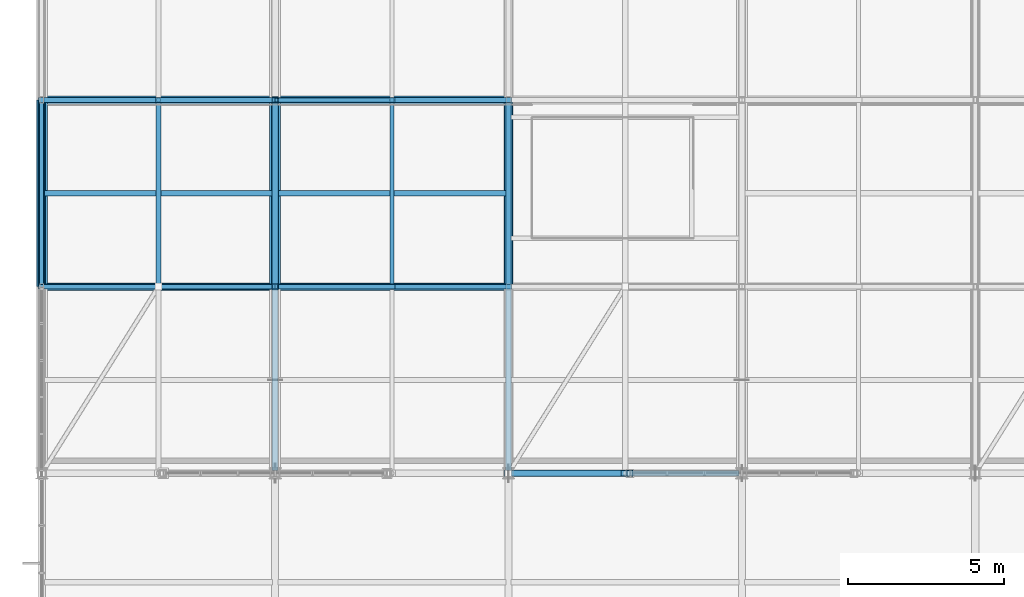
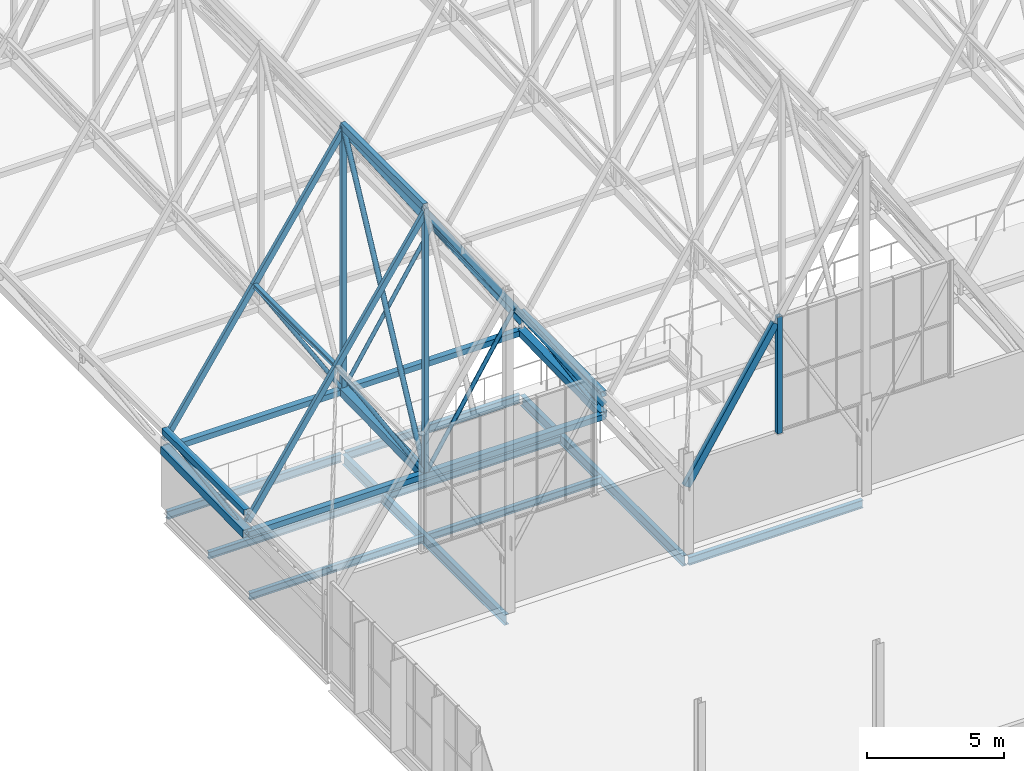
# One storey, part 86 of 324: 27 members, 11 beams.
"""IFC4 building model written with IfcOpenShell, lengths in metres."""

from ifc_helpers import new_model, si_unit, direction, frame, origin, origin_2d, place, context, subcontext, project, spatial, hollow_rectangle, hollow_circle, i_section, extrude, material, material_profile, profile_set, type_object, element, save


model = new_model("IFC4")

# Units and contexts
model_context = context("Model", 3, precision=1e-05, world=origin(), true_north=direction((0.0, 1.0)))
body_context = subcontext(model_context, "Body", "Model", "MODEL_VIEW")
ifc_project = project(units=[si_unit("LENGTHUNIT", "METRE"), si_unit("AREAUNIT", "SQUARE_METRE"), si_unit("VOLUMEUNIT", "CUBIC_METRE"), si_unit("PLANEANGLEUNIT", "RADIAN"), si_unit("MASSUNIT", "GRAM", prefix="KILO")], contexts=[model_context])

# Site, building, storey
site_placement = place(None, origin())
site = spatial("IfcSite", under=ifc_project, at=site_placement, CompositionType="ELEMENT")
building_placement = place(site_placement, origin())
building = spatial("IfcBuilding", under=site, at=building_placement, Name="Solvenia Promenade Tram Depot", CompositionType="ELEMENT")
storey_placement = place(building_placement, frame((0.0, 0.0, 4.5)))
storey = spatial("IfcBuildingStorey", under=building, at=storey_placement, Name="L01", CompositionType="ELEMENT", Elevation=4.5)

# Beams
ifc_material_1 = material(Name="Structural steel ASTM A992 Gr. 50", Category="steel")
ifc_material_profile_1 = material_profile(ifc_material_1, i_section(OverallWidth=0.19091796875, OverallDepth=0.4599609375, WebThickness=0.010009765625, FlangeThickness=0.01611328125, FilletRadius=0.012939453125, at=origin_2d()), Name="W460x82", Category="steel")
ifc_profile_set_1 = profile_set([ifc_material_profile_1], Name="Structural steel ASTM A992 Gr. 50")
beam_type_1 = type_object("IfcBeamType", Name="Beam-W460x82", PredefinedType="BEAM", material=ifc_profile_set_1)
for number, where, z_axis, x_axis, name in (
    (1, (7.5, 66.0849609375, -0.449951171875), (0.0, 1.0, 0.0), (-1.0, 0.0, 0.0), "Transverse Girder BM-L01-0042"),
    (2, (15.0, 66.0849609375, -0.449951171875), (0.0, 1.0, 0.0), (-1.0, 0.0, 0.0), "Transverse Girder BM-L01-0043"),
):
    element("IfcBeam", number, at=place(storey_placement, frame(where, z_axis=z_axis, x_axis=x_axis)), inside=storey, type_object=beam_type_1, Name=name, PredefinedType="BEAM", context=body_context, shape_type="SweptSolid", body=[
        extrude(i_section(OverallWidth=0.19091796875, OverallDepth=0.4599609375, WebThickness=0.010009765625, FlangeThickness=0.01611328125, FilletRadius=0.012939453125, at=origin_2d()), origin(), (0.0, 0.0, 1.0), 11.830078125),
    ])

# Members
ifc_material_2 = material(Name="Structural steel ASTM A500 Gr. C", Category="steel")
ifc_material_profile_2 = material_profile(ifc_material_2, hollow_circle(Radius=0.109619140625, WallThickness=0.008056640625, at=origin_2d()), Name="CHS219.1x8", Category="steel")
ifc_profile_set_2 = profile_set([ifc_material_profile_2], Name="Structural steel ASTM A500 Gr. C")
member_type_1 = type_object("IfcMemberType", Name="Brace-CHS219x8", PredefinedType="BRACE", material=ifc_profile_set_2)
member_1_placement = place(storey_placement, frame((7.5, 72.0, 2.446044921875), z_axis=(0.0, 0.450849563736, 0.892599950078), x_axis=(-1.0, 0.0, 0.0)))
element("IfcMember", 3, at=member_1_placement, inside=storey, type_object=member_type_1, Name="Arched Truss T02 Web Diagonal S02", PredefinedType="BRACE", context=body_context, shape_type="SweptSolid", body=[
    extrude(hollow_circle(Radius=0.109619140625, WallThickness=0.008056640625, at=origin_2d()), origin(), (0.0, 0.0, 1.0), 13.30810546875),
])
ifc_material_profile_3 = material_profile(ifc_material_2, hollow_rectangle(XDim=0.14990234375, YDim=0.25, WallThickness=0.010009765625, at=origin_2d()), Name="HSS250x150x10", Category="steel")
ifc_profile_set_3 = profile_set([ifc_material_profile_3], Name="Structural steel ASTM A500 Gr. C")
member_type_2 = type_object("IfcMemberType", Name="Chord-HSS250x150x10", PredefinedType="CHORD", material=ifc_profile_set_3)
for number, where, z_axis, x_axis, name in (
    (4, (0.0, 72.0, 2.95703125), (0.557276274528, 0.0, 0.830327136644), (0.0, 1.0, 0.0), "Zigzag Gable 01 West Lower Rafter"),
    (5, (3.75, 72.0, 8.54443359375), (0.557259486914, 0.0, 0.83033840345), (0.0, 1.0, 0.0), "Zigzag Gable 01 West Upper Rafter"),
    (6, (7.5, 72.0, 14.132080078125), (0.557259486914, 0.0, -0.83033840345), (0.0, 1.0, 0.0), "Zigzag Gable 01 East Upper Rafter"),
    (7, (11.25, 72.0, 8.54443359375), (0.557276274528, 0.0, -0.830327136644), (0.0, 1.0, 0.0), "Zigzag Gable 01 East Lower Rafter"),
    (8, (0.0, 78.0, 2.95703125), (0.557276274528, 0.0, 0.830327136644), (0.0, 1.0, 0.0), "Zigzag Gable 01 West Lower Rafter"),
    (9, (3.75, 78.0, 8.54443359375), (0.557259486914, 0.0, 0.83033840345), (0.0, 1.0, 0.0), "Zigzag Gable 01 West Upper Rafter"),
    (10, (7.5, 78.0, 14.132080078125), (0.557259486914, 0.0, -0.83033840345), (0.0, 1.0, 0.0), "Zigzag Gable 01 East Upper Rafter"),
    (11, (11.25, 78.0, 8.54443359375), (0.557276274528, 0.0, -0.830327136644), (0.0, 1.0, 0.0), "Zigzag Gable 01 East Lower Rafter"),
):
    element("IfcMember", number, at=place(storey_placement, frame(where, z_axis=z_axis, x_axis=x_axis)), inside=storey, type_object=member_type_2, Name=name, PredefinedType="CHORD", context=body_context, shape_type="SweptSolid", body=[
        extrude(hollow_rectangle(XDim=0.14990234375, YDim=0.25, WallThickness=0.010009765625, at=origin_2d()), origin(), (0.0, 0.0, 1.0), 6.729248046875),
    ])
ifc_material_profile_4 = material_profile(ifc_material_2, hollow_rectangle(XDim=0.25, YDim=0.25, WallThickness=0.010009765625, at=origin_2d()), Name="HSS250x250x10", Category="steel")
ifc_profile_set_4 = profile_set([ifc_material_profile_4], Name="Structural steel ASTM A500 Gr. C")
member_type_3 = type_object("IfcMemberType", Name="Chord-HSS250x250x10", PredefinedType="CHORD", material=ifc_profile_set_4)
for number, where, z_axis, x_axis, name in (
    (12, (0.0, 72.0, 3.3798828125), (0.0, 1.0, 0.0), (-1.0, 0.0, 0.0), "Arched Truss T01 Upper Chord S02"),
    (13, (15.0, 72.0, 3.3798828125), (0.0, 1.0, 0.0), (-1.0, 0.0, 0.0), "Arched Truss T03 Upper Chord S02"),
):
    element("IfcMember", number, at=place(storey_placement, frame(where, z_axis=z_axis, x_axis=x_axis)), inside=storey, type_object=member_type_3, Name=name, PredefinedType="CHORD", context=body_context, shape_type="SweptSolid", body=[
        extrude(hollow_rectangle(XDim=0.25, YDim=0.25, WallThickness=0.010009765625, at=origin_2d()), origin(), (0.0, 0.0, 1.0), 6.0),
    ])
for number, where, z_axis, x_axis, name in (
    (14, (0.0, 72.0, 2.446044921875), (1.0, 0.0, 0.0), (0.0, 1.0, 0.0), "Bottom-Chord Catenary Lateral Tie 001"),
    (15, (0.0, 78.0, 2.5439453125), (1.0, 0.0, 0.0), (0.0, 1.0, 0.0), "Bottom-Chord Catenary Lateral Tie 002"),
):
    element("IfcMember", number, at=place(storey_placement, frame(where, z_axis=z_axis, x_axis=x_axis)), inside=storey, type_object=member_type_3, Name=name, PredefinedType="CHORD", context=body_context, shape_type="SweptSolid", body=[
        extrude(hollow_rectangle(XDim=0.25, YDim=0.25, WallThickness=0.010009765625, at=origin_2d()), origin(), (0.0, 0.0, 1.0), 15.0),
    ])
ifc_material_profile_5 = material_profile(ifc_material_2, hollow_rectangle(XDim=0.199951171875, YDim=0.300048828125, WallThickness=0.012451171875, at=origin_2d()), Name="HSS300x200x12.5", Category="steel")
ifc_profile_set_5 = profile_set([ifc_material_profile_5], Name="Structural steel ASTM A500 Gr. C")
member_type_4 = type_object("IfcMemberType", Name="Chord-HSS300x200x12", PredefinedType="CHORD", material=ifc_profile_set_5)
member_2_placement = place(storey_placement, frame((7.5, 72.0, 14.324951171875), z_axis=(0.0, 1.0, 0.0), x_axis=(-1.0, 0.0, 0.0)))
element("IfcMember", 16, at=member_2_placement, inside=storey, type_object=member_type_4, Name="Arched Truss T02 Upper Chord S02", PredefinedType="CHORD", context=body_context, shape_type="SweptSolid", body=[
    extrude(hollow_rectangle(XDim=0.199951171875, YDim=0.300048828125, WallThickness=0.012451171875, at=origin_2d()), origin(), (0.0, 0.0, 1.0), 6.0),
])
member_3_placement = place(storey_placement, frame((15.0, 66.0, 2.942626953125), z_axis=(0.533506771487, 0.0, 0.845795793781), x_axis=(0.0, 1.0, 0.0)))
element("IfcMember", 17, at=member_3_placement, inside=storey, type_object=member_type_4, Name="Zigzag Gable 02 West Lower Rafter", PredefinedType="CHORD", context=body_context, shape_type="SweptSolid", body=[
    extrude(hollow_rectangle(XDim=0.199951171875, YDim=0.300048828125, WallThickness=0.012451171875, at=origin_2d()), origin(), (0.0, 0.0, 1.0), 7.029052734375),
])
ifc_material_profile_6 = material_profile(ifc_material_2, hollow_rectangle(XDim=0.300048828125, YDim=0.300048828125, WallThickness=0.012451171875, at=origin_2d()), Name="HSS300x300x12.5", Category="steel")
ifc_profile_set_6 = profile_set([ifc_material_profile_6], Name="Structural steel ASTM A500 Gr. C")
member_type_5 = type_object("IfcMemberType", Name="Chord-HSS300x300x12", PredefinedType="CHORD", material=ifc_profile_set_6)
member_4_placement = place(storey_placement, frame((15.0, 72.0, 2.446044921875), z_axis=(0.0, 0.999866908707, 0.016314560156), x_axis=(-1.0, 0.0, 0.0)))
element("IfcMember", 18, at=member_4_placement, inside=storey, type_object=member_type_5, Name="Arched Truss T03 Bottom Chord S02", PredefinedType="CHORD", context=body_context, shape_type="SweptSolid", body=[
    extrude(hollow_rectangle(XDim=0.300048828125, YDim=0.300048828125, WallThickness=0.012451171875, at=origin_2d()), origin(), (0.0, 0.0, 1.0), 6.000732421875),
])
ifc_material_profile_7 = material_profile(ifc_material_2, hollow_rectangle(XDim=0.35009765625, YDim=0.35009765625, WallThickness=0.01611328125, at=origin_2d()), Name="HSS350x350x16", Category="steel")
ifc_profile_set_7 = profile_set([ifc_material_profile_7], Name="Structural steel ASTM A500 Gr. C")
member_type_6 = type_object("IfcMemberType", Name="Chord-HSS350x350x16", PredefinedType="CHORD", material=ifc_profile_set_7)
for number, where, z_axis, x_axis, name in (
    (19, (0.0, 72.0, 2.446044921875), (0.0, 0.999866908707, 0.016314560156), (-1.0, 0.0, 0.0), "Arched Truss T01 Bottom Chord S02"),
    (20, (7.5, 72.0, 2.446044921875), (0.0, 0.999866908707, 0.016314560156), (-1.0, 0.0, 0.0), "Arched Truss T02 Bottom Chord S02"),
):
    element("IfcMember", number, at=place(storey_placement, frame(where, z_axis=z_axis, x_axis=x_axis)), inside=storey, type_object=member_type_6, Name=name, PredefinedType="CHORD", context=body_context, shape_type="SweptSolid", body=[
        extrude(hollow_rectangle(XDim=0.35009765625, YDim=0.35009765625, WallThickness=0.01611328125, at=origin_2d()), origin(), (0.0, 0.0, 1.0), 6.000732421875),
    ])

# Beams
ifc_material_profile_8 = material_profile(ifc_material_1, i_section(OverallWidth=0.166015625, OverallDepth=0.31298828125, WebThickness=0.006591796875, FlangeThickness=0.01123046875, FilletRadius=0.010009765625, at=origin_2d()), Name="W310x45", Category="steel")
ifc_profile_set_8 = profile_set([ifc_material_profile_8], Name="Structural steel ASTM A992 Gr. 50")
beam_type_2 = type_object("IfcBeamType", Name="Joist-W310x45", PredefinedType="JOIST", material=ifc_profile_set_8)
for number, where, z_axis, x_axis, name in (
    (21, (0.0849609375, 72.0, -0.37646484375), (1.0, 0.0, 0.0), (0.0, 1.0, 0.0), "Secondary Floor Joist BM-L01-0063"),
    (22, (0.0849609375, 75.0, -0.37646484375), (1.0, 0.0, 0.0), (0.0, 1.0, 0.0), "Secondary Floor Joist BM-L01-0064"),
    (23, (7.5849609375, 72.0, -0.37646484375), (1.0, 0.0, 0.0), (0.0, 1.0, 0.0), "Secondary Floor Joist BM-L01-0066"),
    (24, (7.5849609375, 75.0, -0.37646484375), (1.0, 0.0, 0.0), (0.0, 1.0, 0.0), "Secondary Floor Joist BM-L01-0067"),
):
    element("IfcBeam", number, at=place(storey_placement, frame(where, z_axis=z_axis, x_axis=x_axis)), inside=storey, type_object=beam_type_2, Name=name, PredefinedType="JOIST", context=body_context, shape_type="SweptSolid", body=[
        extrude(i_section(OverallWidth=0.166015625, OverallDepth=0.31298828125, WebThickness=0.006591796875, FlangeThickness=0.01123046875, FilletRadius=0.010009765625, at=origin_2d()), origin(), (0.0, 0.0, 1.0), 7.330078125),
    ])

# Members
ifc_material_profile_9 = material_profile(ifc_material_2, hollow_rectangle(XDim=0.199951171875, YDim=0.199951171875, WallThickness=0.010009765625, at=origin_2d()), Name="HSS200x200x10", Category="steel")
ifc_profile_set_9 = profile_set([ifc_material_profile_9], Name="Structural steel ASTM A500 Gr. C")
member_type_7 = type_object("IfcMemberType", Name="Post-HSS200x200x10", PredefinedType="POST", material=ifc_profile_set_9)
member_5_placement = place(storey_placement, frame((7.5, 72.0, 2.446044921875), z_axis=(0.0, 0.0, 1.0), x_axis=(1.0, 0.0, 0.0)))
element("IfcMember", 25, at=member_5_placement, inside=storey, type_object=member_type_7, Name="Arched Truss T02 Web Post S01", PredefinedType="POST", context=body_context, shape_type="SweptSolid", body=[
    extrude(hollow_rectangle(XDim=0.199951171875, YDim=0.199951171875, WallThickness=0.010009765625, at=origin_2d()), origin(), (0.0, 0.0, 1.0), 11.87890625),
])
member_6_placement = place(storey_placement, frame((7.5, 78.0, 2.5439453125), z_axis=(0.0, 0.0, 1.0), x_axis=(1.0, 0.0, 0.0)))
element("IfcMember", 26, at=member_6_placement, inside=storey, type_object=member_type_7, Name="Arched Truss T02 Web Post S02", PredefinedType="POST", context=body_context, shape_type="SweptSolid", body=[
    extrude(hollow_rectangle(XDim=0.199951171875, YDim=0.199951171875, WallThickness=0.010009765625, at=origin_2d()), origin(), (0.0, 0.0, 1.0), 11.781005859375),
])
member_7_placement = place(storey_placement, frame((18.89990234375, 66.0, 3.949951171875), z_axis=(0.0, 0.0, 1.0), x_axis=(1.0, 0.0, 0.0)))
element("IfcMember", 27, at=member_7_placement, inside=storey, type_object=member_type_7, Name="Gable Curtain-Wall Steel Jamb Post 007", PredefinedType="POST", context=body_context, shape_type="SweptSolid", body=[
    extrude(hollow_rectangle(XDim=0.199951171875, YDim=0.199951171875, WallThickness=0.010009765625, at=origin_2d()), origin(), (0.0, 0.0, 1.0), 5.199951171875),
])

# Beams
ifc_material_profile_10 = material_profile(ifc_material_1, i_section(OverallWidth=0.133056640625, OverallDepth=0.20703125, WebThickness=0.005859375, FlangeThickness=0.00830078125, FilletRadius=0.009033203125, at=origin_2d()), Name="W200x27", Category="steel")
ifc_profile_set_10 = profile_set([ifc_material_profile_10], Name="Structural steel ASTM A992 Gr. 50")
beam_type_3 = type_object("IfcBeamType", Name="Purlin-W200x27", PredefinedType="USERDEFINED", material=ifc_profile_set_10)
beam_1_placement = place(storey_placement, frame((11.25, 72.0849609375, 8.551025390625), z_axis=(0.0, 1.0, 0.0), x_axis=(-1.0, 0.0, 0.0)))
element("IfcBeam", 28, at=beam_1_placement, inside=storey, type_object=beam_type_3, Name="Gable Roof Purlin E-0004", ObjectType="PURLIN", PredefinedType="USERDEFINED", context=body_context, shape_type="SweptSolid", body=[
    extrude(i_section(OverallWidth=0.133056640625, OverallDepth=0.20703125, WebThickness=0.005859375, FlangeThickness=0.00830078125, FilletRadius=0.009033203125, at=origin_2d()), origin(), (0.0, 0.0, 1.0), 5.830078125),
])
ifc_material_profile_11 = material_profile(ifc_material_1, i_section(OverallWidth=0.1650390625, OverallDepth=0.200927734375, WebThickness=0.006103515625, FlangeThickness=0.01025390625, FilletRadius=0.010009765625, at=origin_2d()), Name="W200x36", Category="steel")
ifc_profile_set_11 = profile_set([ifc_material_profile_11], Name="Structural steel ASTM A992 Gr. 50")
beam_type_4 = type_object("IfcBeamType", Name="Purlin-W200x36", PredefinedType="USERDEFINED", material=ifc_profile_set_11)
beam_2_placement = place(storey_placement, frame((3.75, 72.0849609375, 8.551025390625), z_axis=(0.0, 1.0, 0.0), x_axis=(-1.0, 0.0, 0.0)))
element("IfcBeam", 29, at=beam_2_placement, inside=storey, type_object=beam_type_4, Name="Gable Roof Purlin W-0003", ObjectType="PURLIN", PredefinedType="USERDEFINED", context=body_context, shape_type="SweptSolid", body=[
    extrude(i_section(OverallWidth=0.1650390625, OverallDepth=0.200927734375, WebThickness=0.006103515625, FlangeThickness=0.01025390625, FilletRadius=0.010009765625, at=origin_2d()), origin(), (0.0, 0.0, 1.0), 5.830078125),
])
ifc_material_profile_12 = material_profile(ifc_material_1, i_section(OverallWidth=0.172119140625, OverallDepth=0.35791015625, WebThickness=0.0078125, FlangeThickness=0.01318359375, FilletRadius=0.010986328125, at=origin_2d()), Name="W360x57", Category="steel")
ifc_profile_set_12 = profile_set([ifc_material_profile_12], Name="Structural steel ASTM A992 Gr. 50")
beam_type_5 = type_object("IfcBeamType", Name="Spandrel-W360x57", PredefinedType="SPANDREL", material=ifc_profile_set_12)
for number, where, z_axis, x_axis, name in (
    (30, (15.0849609375, 66.0, -0.4189453125), (1.0, 0.0, 0.0), (0.0, 1.0, 0.0), "Perimeter Spandrel BM-L01-0003"),
    (31, (0.0849609375, 78.0, -0.39892578125), (1.0, 0.0, 0.0), (0.0, 1.0, 0.0), "Perimeter Spandrel BM-L01-0021"),
    (32, (7.5849609375, 78.0, -0.39892578125), (1.0, 0.0, 0.0), (0.0, 1.0, 0.0), "Perimeter Spandrel BM-L01-0022"),
):
    element("IfcBeam", number, at=place(storey_placement, frame(where, z_axis=z_axis, x_axis=x_axis)), inside=storey, type_object=beam_type_5, Name=name, PredefinedType="SPANDREL", context=body_context, shape_type="SweptSolid", body=[
        extrude(i_section(OverallWidth=0.172119140625, OverallDepth=0.35791015625, WebThickness=0.0078125, FlangeThickness=0.01318359375, FilletRadius=0.010986328125, at=origin_2d()), origin(), (0.0, 0.0, 1.0), 7.330078125),
    ])

# Members
ifc_material_profile_13 = material_profile(ifc_material_2, hollow_circle(Radius=0.084228515625, WallThickness=0.008056640625, at=origin_2d()), Name="CHS168.3x8", Category="steel")
ifc_profile_set_13 = profile_set([ifc_material_profile_13], Name="Structural steel ASTM A500 Gr. C")
member_type_8 = type_object("IfcMemberType", Name="WebDiag-CHS168x8", PredefinedType="BRACE", material=ifc_profile_set_13)
for number, where, z_axis, x_axis, name in (
    (33, (0.0, 72.0, 2.446044921875), (0.0, 0.9881038455, 0.153788135133), (-1.0, 0.0, 0.0), "Arched Truss T01 Web Diagonal S02"),
    (34, (15.0, 72.0, 2.446044921875), (0.0, 0.9881038455, 0.153788135133), (-1.0, 0.0, 0.0), "Arched Truss T03 Web Diagonal S02"),
):
    element("IfcMember", number, at=place(storey_placement, frame(where, z_axis=z_axis, x_axis=x_axis)), inside=storey, type_object=member_type_8, Name=name, PredefinedType="BRACE", context=body_context, shape_type="SweptSolid", body=[
        extrude(hollow_circle(Radius=0.084228515625, WallThickness=0.008056640625, at=origin_2d()), origin(), (0.0, 0.0, 1.0), 6.072265625),
    ])
for number, where, z_axis, x_axis, name in (
    (35, (7.5, 72.0, 2.446044921875), (-0.523808186258, 0.0, 0.851836242484), (0.0, -1.0, 0.0), "Zigzag Gable 01 West Knee Strut"),
    (36, (7.5, 72.0, 2.446044921875), (0.523808186258, 0.0, 0.851836242484), (0.0, 1.0, 0.0), "Zigzag Gable 01 East Knee Strut"),
):
    element("IfcMember", number, at=place(storey_placement, frame(where, z_axis=z_axis, x_axis=x_axis)), inside=storey, type_object=member_type_8, Name=name, PredefinedType="BRACE", context=body_context, shape_type="SweptSolid", body=[
        extrude(hollow_circle(Radius=0.084228515625, WallThickness=0.008056640625, at=origin_2d()), origin(), (0.0, 0.0, 1.0), 7.1591796875),
    ])
for number, where, z_axis, x_axis, name in (
    (37, (7.5, 78.0, 2.5439453125), (-0.529967925608, 0.0, 0.848017687213), (0.0, -1.0, 0.0), "Zigzag Gable 01 West Knee Strut"),
    (38, (7.5, 78.0, 2.5439453125), (0.529967925608, 0.0, 0.848017687213), (0.0, 1.0, 0.0), "Zigzag Gable 01 East Knee Strut"),
):
    element("IfcMember", number, at=place(storey_placement, frame(where, z_axis=z_axis, x_axis=x_axis)), inside=storey, type_object=member_type_8, Name=name, PredefinedType="BRACE", context=body_context, shape_type="SweptSolid", body=[
        extrude(hollow_circle(Radius=0.084228515625, WallThickness=0.008056640625, at=origin_2d()), origin(), (0.0, 0.0, 1.0), 7.075927734375),
    ])

save(model, "model.ifc")
